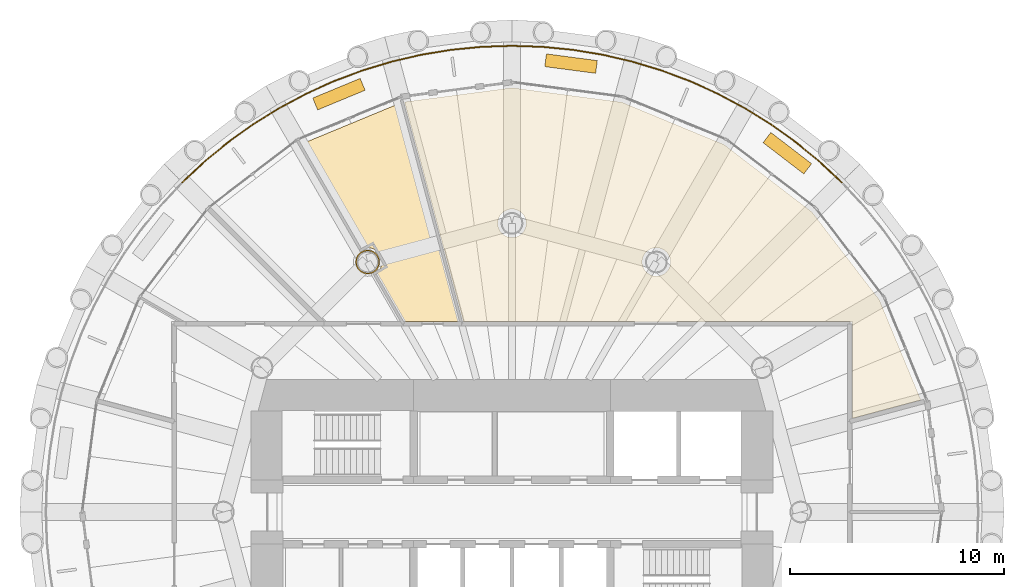
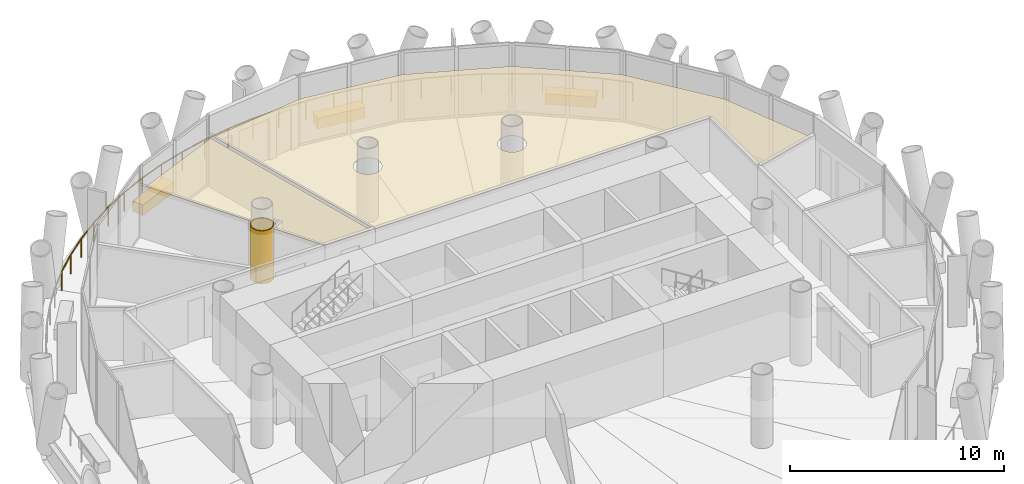
# One storey, part 14 of 14: 6 coverings, 1 railing.
"""IFC4 building model written with IfcOpenShell, lengths in metres."""

from ifc_helpers import new_model, si_unit, direction, frame, origin, origin_2d, place, context, subcontext, project, spatial, polyline, rectangle, circle, outline, extrude, material, layer, layer_set, type_object, element, save


model = new_model("IFC4")

# Units and contexts
model_context = context("Model", 3, precision=1e-05, world=origin(), true_north=direction((0.0, 1.0)))
body_context = subcontext(model_context, "Body", "Model", "MODEL_VIEW")
ifc_project = project(units=[si_unit("LENGTHUNIT", "METRE"), si_unit("AREAUNIT", "SQUARE_METRE"), si_unit("VOLUMEUNIT", "CUBIC_METRE"), si_unit("PLANEANGLEUNIT", "RADIAN"), si_unit("MASSUNIT", "GRAM", prefix="KILO")], contexts=[model_context])

# Site, building, storey
site_placement = place(None, origin())
site = spatial("IfcSite", under=ifc_project, at=site_placement, CompositionType="ELEMENT")
building_placement = place(site_placement, origin())
building = spatial("IfcBuilding", under=site, at=building_placement, Name="Qaws Media Tower", CompositionType="ELEMENT")
storey_placement = place(building_placement, frame((0.0, 0.0, 227.60009765625)))
storey = spatial("IfcBuildingStorey", under=building, at=storey_placement, Name="L52", CompositionType="ELEMENT", Elevation=227.60009765625)

# Covering
ifc_material_1 = material(Name="40 perforated acoustic panels with mineral wool backing, suspended", Category="mineral fibre")
ifc_layer_1 = layer(ifc_material_1, 0.0400390625)
ifc_layer_set_1 = layer_set([ifc_layer_1], Name="Acoustic panel ceiling 40")
covering_type_1 = type_object("IfcCoveringType", Name="Acoustic panel ceiling 40", PredefinedType="CEILING", material=ifc_layer_set_1)
covering_1_placement = place(storey_placement, frame((0.0, 0.0, 2.849853515625)))
element("IfcCovering", 1, at=covering_1_placement, inside=storey, type_object=covering_type_1, Name="CL3 ceiling L52-04 Meeting room", PredefinedType="CEILING", context=body_context, shape_type="SweptSolid", body=[
    extrude(outline(polyline([(54.761474609375, 69.115966796875), (57.495361328125, 58.91259765625), (54.984375, 58.91259765625), (53.676025390625, 61.178466796875), (53.722412109375, 61.218994140625), (53.780029296875, 61.28466796875), (53.82861328125, 61.357421875), (53.8671875, 61.435791015625), (53.895263671875, 61.5185546875), (53.912353515625, 61.604248046875), (53.91796875, 61.69140625), (53.912353515625, 61.778564453125), (53.895263671875, 61.8642578125), (53.8671875, 61.947021484375), (53.82861328125, 62.025390625), (53.780029296875, 62.097900390625), (53.722412109375, 62.163818359375), (53.65673828125, 62.22119140625), (53.583984375, 62.269775390625), (53.505615234375, 62.30859375), (53.4228515625, 62.336669921875), (53.337158203125, 62.353515625), (53.25, 62.359375), (53.162841796875, 62.353515625), (53.0771484375, 62.336669921875), (53.018798828125, 62.31689453125), (50.187255859375, 67.22119140625), (54.761474609375, 69.115966796875)])), origin(), (0.0, 0.0, 1.0), 0.0400390625),
])

# Railing
ifc_material_2 = material(Name="Stainless steel and glass guard", Category="steel")
railing_type = type_object("IfcRailingType", Name="Balcony guard 1100", PredefinedType="GUARDRAIL", material=ifc_material_2)
railing_placement = place(storey_placement, frame((75.4150390625, 65.4150390625, 0.0)))
element("IfcRailing", 2, at=railing_placement, inside=storey, type_object=railing_type, Name="GR1 balcony guard L52-1", PredefinedType="GUARDRAIL", context=body_context, shape_type="SweptSolid", body=[
    extrude(circle(Radius=0.02392578125, at=origin_2d()), frame((0.0, 0.0, 1.076171875), z_axis=(-0.72991602165, 0.683536832467, 0.0), x_axis=(-0.683536832467, -0.72991602165, 0.0)), (0.0, 0.0, 1.0), 1.426513671875),
    extrude(circle(Radius=0.02392578125, at=origin_2d()), frame((-1.041259765625, 0.97509765625, 1.076171875), z_axis=(-0.773010965138, 0.634392660564, 0.0), x_axis=(-0.634392660564, -0.773010965138, 0.0)), (0.0, 0.0, 1.0), 1.426513671875),
    extrude(circle(Radius=0.02392578125, at=origin_2d()), frame((-2.14404296875, 1.880126953125, 1.076171875), z_axis=(-0.81291165335, 0.58238702239, 0.0), x_axis=(-0.58238702239, -0.81291165335, 0.0)), (0.0, 0.0, 1.0), 1.426513671875),
    extrude(circle(Radius=0.02392578125, at=origin_2d()), frame((-3.3037109375, 2.7109375, 1.076171875), z_axis=(-0.849169171348, 0.528120931636, 0.0), x_axis=(-0.528120931636, -0.849169171348, 0.0)), (0.0, 0.0, 1.0), 1.426513671875),
    extrude(circle(Radius=0.02392578125, at=origin_2d()), frame((-4.51513671875, 3.46435546875, 1.076171875), z_axis=(-0.881945162591, 0.471352023632, 0.0), x_axis=(-0.471352023632, -0.881945162591, 0.0)), (0.0, 0.0, 1.0), 1.426513671875),
    extrude(circle(Radius=0.02392578125, at=origin_2d()), frame((-5.773193359375, 4.13671875, 1.076171875), z_axis=(-0.910823084717, 0.412796933547, 0.0), x_axis=(-0.412796933547, -0.910823084717, 0.0)), (0.0, 0.0, 1.0), 1.426513671875),
    extrude(circle(Radius=0.02392578125, at=origin_2d()), frame((-7.072509765625, 4.7255859375, 1.076171875), z_axis=(-0.935927693582, 0.352192209434, 0.0), x_axis=(-0.352192209434, -0.935927693582, 0.0)), (0.0, 0.0, 1.0), 1.426513671875),
    extrude(circle(Radius=0.02392578125, at=origin_2d()), frame((-8.40771484375, 5.22802734375, 1.076171875), z_axis=(-0.956940873371, 0.29028290489, 0.0), x_axis=(-0.29028290489, -0.956940873371, 0.0)), (0.0, 0.0, 1.0), 1.426513671875),
    extrude(circle(Radius=0.02392578125, at=origin_2d()), frame((-9.772705078125, 5.64208984375, 1.076171875), z_axis=(-0.973875279633, 0.227083552288, 0.0), x_axis=(-0.227083552288, -0.973875279633, 0.0)), (0.0, 0.0, 1.0), 1.4267578125),
    extrude(circle(Radius=0.02392578125, at=origin_2d()), frame((-11.162109375, 5.966064453125, 1.076171875), z_axis=(-0.986637977564, 0.162927901933, 0.0), x_axis=(-0.162927901933, -0.986637977564, 0.0)), (0.0, 0.0, 1.0), 1.426513671875),
    extrude(circle(Radius=0.02392578125, at=origin_2d()), frame((-12.569580078125, 6.198486328125, 1.076171875), z_axis=(-0.995180176689, 0.098063326095, 0.0), x_axis=(-0.098063326095, -0.995180176689, 0.0)), (0.0, 0.0, 1.0), 1.426513671875),
    extrude(circle(Radius=0.02392578125, at=origin_2d()), frame((-13.9892578125, 6.33837890625, 1.076171875), z_axis=(-0.99946560448, 0.03268800179, 0.0), x_axis=(-0.03268800179, -0.99946560448, 0.0)), (0.0, 0.0, 1.0), 1.426513671875),
    extrude(circle(Radius=0.02392578125, at=origin_2d()), frame((-15.4150390625, 6.385009765625, 1.076171875), z_axis=(-0.99946560448, -0.03268800179, 0.0), x_axis=(0.03268800179, -0.99946560448, 0.0)), (0.0, 0.0, 1.0), 1.426513671875),
    extrude(circle(Radius=0.02392578125, at=origin_2d()), frame((-16.8408203125, 6.33837890625, 1.076171875), z_axis=(-0.995180176689, -0.098063326095, 0.0), x_axis=(0.098063326095, -0.995180176689, 0.0)), (0.0, 0.0, 1.0), 1.426513671875),
    extrude(circle(Radius=0.02392578125, at=origin_2d()), frame((-18.260498046875, 6.198486328125, 1.076171875), z_axis=(-0.986637977564, -0.162927901933, 0.0), x_axis=(0.162927901933, -0.986637977564, 0.0)), (0.0, 0.0, 1.0), 1.426513671875),
    extrude(circle(Radius=0.02392578125, at=origin_2d()), frame((-19.66796875, 5.966064453125, 1.076171875), z_axis=(-0.973875279633, -0.227083552288, 0.0), x_axis=(0.227083552288, -0.973875279633, 0.0)), (0.0, 0.0, 1.0), 1.4267578125),
    extrude(circle(Radius=0.02392578125, at=origin_2d()), frame((-21.057373046875, 5.64208984375, 1.076171875), z_axis=(-0.956940873371, -0.29028290489, 0.0), x_axis=(0.29028290489, -0.956940873371, 0.0)), (0.0, 0.0, 1.0), 1.426513671875),
    extrude(circle(Radius=0.02392578125, at=origin_2d()), frame((-22.42236328125, 5.22802734375, 1.076171875), z_axis=(-0.935927693582, -0.352192209434, 0.0), x_axis=(0.352192209434, -0.935927693582, 0.0)), (0.0, 0.0, 1.0), 1.426513671875),
    extrude(circle(Radius=0.02392578125, at=origin_2d()), frame((-23.757568359375, 4.7255859375, 1.076171875), z_axis=(-0.910823084717, -0.412796933547, 0.0), x_axis=(0.412796933547, -0.910823084717, 0.0)), (0.0, 0.0, 1.0), 1.426513671875),
    extrude(circle(Radius=0.02392578125, at=origin_2d()), frame((-25.056884765625, 4.13671875, 1.076171875), z_axis=(-0.881945162591, -0.471352023632, 0.0), x_axis=(0.471352023632, -0.881945162591, 0.0)), (0.0, 0.0, 1.0), 1.426513671875),
    extrude(circle(Radius=0.02392578125, at=origin_2d()), frame((-26.31494140625, 3.46435546875, 1.076171875), z_axis=(-0.849169171348, -0.528120931636, 0.0), x_axis=(0.528120931636, -0.849169171348, 0.0)), (0.0, 0.0, 1.0), 1.426513671875),
    extrude(circle(Radius=0.02392578125, at=origin_2d()), frame((-27.5263671875, 2.7109375, 1.076171875), z_axis=(-0.81291165335, -0.58238702239, 0.0), x_axis=(0.58238702239, -0.81291165335, 0.0)), (0.0, 0.0, 1.0), 1.426513671875),
    extrude(circle(Radius=0.02392578125, at=origin_2d()), frame((-28.68603515625, 1.880126953125, 1.076171875), z_axis=(-0.773010965138, -0.634392660564, 0.0), x_axis=(0.634392660564, -0.773010965138, 0.0)), (0.0, 0.0, 1.0), 1.426513671875),
    extrude(circle(Radius=0.02392578125, at=origin_2d()), frame((-29.788818359375, 0.97509765625, 1.076171875), z_axis=(-0.72991602165, -0.683536832467, 0.0), x_axis=(0.683536832467, -0.72991602165, 0.0)), (0.0, 0.0, 1.0), 1.426513671875),
    extrude(circle(Radius=0.02099609375, at=origin_2d()), origin(), (0.0, 0.0, 1.0), 1.052001953125),
    extrude(circle(Radius=0.02099609375, at=origin_2d()), frame((-1.041259765625, 0.97509765625, 0.0)), (0.0, 0.0, 1.0), 1.052001953125),
    extrude(circle(Radius=0.02099609375, at=origin_2d()), frame((-2.14404296875, 1.880126953125, 0.0)), (0.0, 0.0, 1.0), 1.052001953125),
    extrude(circle(Radius=0.02099609375, at=origin_2d()), frame((-3.3037109375, 2.7109375, 0.0)), (0.0, 0.0, 1.0), 1.052001953125),
    extrude(circle(Radius=0.02099609375, at=origin_2d()), frame((-4.51513671875, 3.46435546875, 0.0)), (0.0, 0.0, 1.0), 1.052001953125),
    extrude(circle(Radius=0.02099609375, at=origin_2d()), frame((-5.773193359375, 4.13671875, 0.0)), (0.0, 0.0, 1.0), 1.052001953125),
    extrude(circle(Radius=0.02099609375, at=origin_2d()), frame((-7.072509765625, 4.7255859375, 0.0)), (0.0, 0.0, 1.0), 1.052001953125),
    extrude(circle(Radius=0.02099609375, at=origin_2d()), frame((-8.40771484375, 5.22802734375, 0.0)), (0.0, 0.0, 1.0), 1.052001953125),
    extrude(circle(Radius=0.02099609375, at=origin_2d()), frame((-9.772705078125, 5.64208984375, 0.0)), (0.0, 0.0, 1.0), 1.052001953125),
    extrude(circle(Radius=0.02099609375, at=origin_2d()), frame((-11.162109375, 5.966064453125, 0.0)), (0.0, 0.0, 1.0), 1.052001953125),
    extrude(circle(Radius=0.02099609375, at=origin_2d()), frame((-12.569580078125, 6.198486328125, 0.0)), (0.0, 0.0, 1.0), 1.052001953125),
    extrude(circle(Radius=0.02099609375, at=origin_2d()), frame((-13.9892578125, 6.33837890625, 0.0)), (0.0, 0.0, 1.0), 1.052001953125),
    extrude(circle(Radius=0.02099609375, at=origin_2d()), frame((-15.4150390625, 6.385009765625, 0.0)), (0.0, 0.0, 1.0), 1.052001953125),
    extrude(circle(Radius=0.02099609375, at=origin_2d()), frame((-16.8408203125, 6.33837890625, 0.0)), (0.0, 0.0, 1.0), 1.052001953125),
    extrude(circle(Radius=0.02099609375, at=origin_2d()), frame((-18.260498046875, 6.198486328125, 0.0)), (0.0, 0.0, 1.0), 1.052001953125),
    extrude(circle(Radius=0.02099609375, at=origin_2d()), frame((-19.66796875, 5.966064453125, 0.0)), (0.0, 0.0, 1.0), 1.052001953125),
    extrude(circle(Radius=0.02099609375, at=origin_2d()), frame((-21.057373046875, 5.64208984375, 0.0)), (0.0, 0.0, 1.0), 1.052001953125),
    extrude(circle(Radius=0.02099609375, at=origin_2d()), frame((-22.42236328125, 5.22802734375, 0.0)), (0.0, 0.0, 1.0), 1.052001953125),
    extrude(circle(Radius=0.02099609375, at=origin_2d()), frame((-23.757568359375, 4.7255859375, 0.0)), (0.0, 0.0, 1.0), 1.052001953125),
    extrude(circle(Radius=0.02099609375, at=origin_2d()), frame((-25.056884765625, 4.13671875, 0.0)), (0.0, 0.0, 1.0), 1.052001953125),
    extrude(circle(Radius=0.02099609375, at=origin_2d()), frame((-26.31494140625, 3.46435546875, 0.0)), (0.0, 0.0, 1.0), 1.052001953125),
    extrude(circle(Radius=0.02099609375, at=origin_2d()), frame((-27.5263671875, 2.7109375, 0.0)), (0.0, 0.0, 1.0), 1.052001953125),
    extrude(circle(Radius=0.02099609375, at=origin_2d()), frame((-28.68603515625, 1.880126953125, 0.0)), (0.0, 0.0, 1.0), 1.052001953125),
    extrude(circle(Radius=0.02099609375, at=origin_2d()), frame((-29.788818359375, 0.97509765625, 0.0)), (0.0, 0.0, 1.0), 1.052001953125),
    extrude(circle(Radius=0.02099609375, at=origin_2d()), frame((-30.830078125, 0.0, 0.0)), (0.0, 0.0, 1.0), 1.052001953125),
])

# Coverings
ifc_material_3 = material(Name="Two layers 15 fire-rated gypsum board on steel framing", Category="steel")
ifc_layer_2 = layer(ifc_material_3, 0.050048828125)
ifc_layer_set_2 = layer_set([ifc_layer_2], Name="Column fire casing")
covering_type_2 = type_object("IfcCoveringType", Name="Column fire casing", PredefinedType="CLADDING", material=ifc_layer_set_2)
covering_2_placement = place(storey_placement, origin())
element("IfcCovering", 3, at=covering_2_placement, inside=storey, type_object=covering_type_2, Name="CC1 column casing L52", PredefinedType="CLADDING", context=body_context, shape_type="SweptSolid", body=[
    extrude(outline(polyline([(53.81298828125, 61.69140625), (53.80810546875, 61.617919921875), (53.793701171875, 61.545654296875), (53.77001953125, 61.475830078125), (53.737548828125, 61.409912109375), (53.69677734375, 61.3486328125), (53.648193359375, 61.293212890625), (53.5927734375, 61.24462890625), (53.531494140625, 61.203857421875), (53.465576171875, 61.171142578125), (53.395751953125, 61.1474609375), (53.323486328125, 61.13330078125), (53.25, 61.12841796875), (53.176513671875, 61.13330078125), (53.104248046875, 61.1474609375), (53.034423828125, 61.171142578125), (52.968505859375, 61.203857421875), (52.9072265625, 61.24462890625), (52.851806640625, 61.293212890625), (52.80322265625, 61.3486328125), (52.762451171875, 61.409912109375), (52.72998046875, 61.475830078125), (52.706298828125, 61.545654296875), (52.69189453125, 61.617919921875), (52.68701171875, 61.69140625), (52.69189453125, 61.764892578125), (52.706298828125, 61.837158203125), (52.72998046875, 61.90673828125), (52.762451171875, 61.972900390625), (52.80322265625, 62.0341796875), (52.851806640625, 62.08935546875), (52.9072265625, 62.137939453125), (52.968505859375, 62.178955078125), (53.034423828125, 62.21142578125), (53.104248046875, 62.235107421875), (53.176513671875, 62.24951171875), (53.25, 62.25439453125), (53.323486328125, 62.24951171875), (53.395751953125, 62.235107421875), (53.465576171875, 62.21142578125), (53.531494140625, 62.178955078125), (53.5927734375, 62.137939453125), (53.648193359375, 62.08935546875), (53.69677734375, 62.0341796875), (53.737548828125, 61.972900390625), (53.77001953125, 61.90673828125), (53.793701171875, 61.837158203125), (53.80810546875, 61.764892578125), (53.81298828125, 61.69140625)]), holes=[polyline([(53.760986328125, 61.69140625), (53.756591796875, 61.62451171875), (53.74365234375, 61.55908203125), (53.72216796875, 61.495849609375), (53.6923828125, 61.435791015625), (53.655517578125, 61.38037109375), (53.611328125, 61.330078125), (53.56103515625, 61.285888671875), (53.505615234375, 61.248779296875), (53.445556640625, 61.21923828125), (53.38232421875, 61.19775390625), (53.316650390625, 61.184814453125), (53.25, 61.180419921875), (53.183349609375, 61.184814453125), (53.11767578125, 61.19775390625), (53.054443359375, 61.21923828125), (52.994384765625, 61.248779296875), (52.93896484375, 61.285888671875), (52.888671875, 61.330078125), (52.844482421875, 61.38037109375), (52.8076171875, 61.435791015625), (52.77783203125, 61.495849609375), (52.75634765625, 61.55908203125), (52.743408203125, 61.62451171875), (52.739013671875, 61.69140625), (52.743408203125, 61.758056640625), (52.75634765625, 61.823486328125), (52.77783203125, 61.886962890625), (52.8076171875, 61.94677734375), (52.844482421875, 62.00244140625), (52.888671875, 62.052734375), (52.93896484375, 62.0966796875), (52.994384765625, 62.1337890625), (53.054443359375, 62.163330078125), (53.11767578125, 62.184814453125), (53.183349609375, 62.197998046875), (53.25, 62.202392578125), (53.316650390625, 62.197998046875), (53.38232421875, 62.184814453125), (53.445556640625, 62.163330078125), (53.505615234375, 62.1337890625), (53.56103515625, 62.0966796875), (53.611328125, 62.052734375), (53.655517578125, 62.00244140625), (53.6923828125, 61.94677734375), (53.72216796875, 61.886962890625), (53.74365234375, 61.823486328125), (53.756591796875, 61.758056640625), (53.760986328125, 61.69140625)])]), origin(), (0.0, 0.0, 1.0), 3.02001953125),
])
ifc_material_4 = material(Name="600 x 600 mineral fibre tiles in exposed grid, suspended", Category="mineral fibre")
ifc_layer_3 = layer(ifc_material_4, 0.02001953125)
ifc_layer_set_3 = layer_set([ifc_layer_3], Name="Mineral fibre tile ceiling 20")
covering_type_3 = type_object("IfcCoveringType", Name="Mineral fibre tile ceiling 20", PredefinedType="CEILING", material=ifc_layer_set_3)
covering_3_placement = place(storey_placement, frame((0.0, 0.0, 2.849853515625)))
element("IfcCovering", 4, at=covering_3_placement, inside=storey, type_object=covering_type_3, Name="CL1 ceiling L52-03 Tenant office", PredefinedType="CEILING", context=body_context, shape_type="SweptSolid", body=[
    extrude(outline(polyline([(60.0, 69.835205078125), (65.1337890625, 69.159423828125), (69.91748046875, 67.177734375), (74.025634765625, 64.025634765625), (77.177734375, 59.91748046875), (79.115966796875, 55.238525390625), (75.91259765625, 54.380126953125), (75.91259765625, 58.91259765625), (57.728515625, 58.91259765625), (54.978759765625, 69.17431640625), (60.0, 69.835205078125)]), holes=[polyline([(60.6171875, 63.244384765625), (60.645263671875, 63.3271484375), (60.662353515625, 63.412841796875), (60.66796875, 63.5), (60.662353515625, 63.587158203125), (60.645263671875, 63.6728515625), (60.6171875, 63.755615234375), (60.57861328125, 63.833984375), (60.530029296875, 63.90673828125), (60.472412109375, 63.972412109375), (60.40673828125, 64.030029296875), (60.333984375, 64.07861328125), (60.255615234375, 64.1171875), (60.1728515625, 64.145263671875), (60.087158203125, 64.162353515625), (60.0, 64.16796875), (59.912841796875, 64.162353515625), (59.8271484375, 64.145263671875), (59.744384765625, 64.1171875), (59.666015625, 64.07861328125), (59.59326171875, 64.030029296875), (59.527587890625, 63.972412109375), (59.469970703125, 63.90673828125), (59.42138671875, 63.833984375), (59.3828125, 63.755615234375), (59.354736328125, 63.6728515625), (59.337646484375, 63.587158203125), (59.33203125, 63.5), (59.337646484375, 63.412841796875), (59.354736328125, 63.3271484375), (59.3828125, 63.244384765625), (59.42138671875, 63.166015625), (59.469970703125, 63.09326171875), (59.527587890625, 63.027587890625), (59.59326171875, 62.969970703125), (59.666015625, 62.92138671875), (59.744384765625, 62.8828125), (59.8271484375, 62.854736328125), (59.912841796875, 62.837646484375), (60.0, 62.83203125), (60.087158203125, 62.837646484375), (60.1728515625, 62.854736328125), (60.255615234375, 62.8828125), (60.333984375, 62.92138671875), (60.40673828125, 62.969970703125), (60.472412109375, 63.027587890625), (60.530029296875, 63.09326171875), (60.57861328125, 63.166015625), (60.6171875, 63.244384765625)]), polyline([(67.3671875, 61.435791015625), (67.395263671875, 61.5185546875), (67.412353515625, 61.604248046875), (67.41796875, 61.69140625), (67.412353515625, 61.778564453125), (67.395263671875, 61.8642578125), (67.3671875, 61.947021484375), (67.32861328125, 62.025390625), (67.280029296875, 62.097900390625), (67.222412109375, 62.163818359375), (67.15673828125, 62.22119140625), (67.083984375, 62.269775390625), (67.005615234375, 62.30859375), (66.9228515625, 62.336669921875), (66.837158203125, 62.353515625), (66.75, 62.359375), (66.662841796875, 62.353515625), (66.5771484375, 62.336669921875), (66.494384765625, 62.30859375), (66.416015625, 62.269775390625), (66.34326171875, 62.22119140625), (66.277587890625, 62.163818359375), (66.219970703125, 62.097900390625), (66.17138671875, 62.025390625), (66.1328125, 61.947021484375), (66.104736328125, 61.8642578125), (66.087646484375, 61.778564453125), (66.08203125, 61.69140625), (66.087646484375, 61.604248046875), (66.104736328125, 61.5185546875), (66.1328125, 61.435791015625), (66.17138671875, 61.357421875), (66.219970703125, 61.28466796875), (66.277587890625, 61.218994140625), (66.34326171875, 61.161376953125), (66.416015625, 61.11279296875), (66.494384765625, 61.07421875), (66.5771484375, 61.046142578125), (66.662841796875, 61.029052734375), (66.75, 61.023193359375), (66.837158203125, 61.029052734375), (66.9228515625, 61.046142578125), (67.005615234375, 61.07421875), (67.083984375, 61.11279296875), (67.15673828125, 61.161376953125), (67.222412109375, 61.218994140625), (67.280029296875, 61.28466796875), (67.32861328125, 61.357421875), (67.3671875, 61.435791015625)])]), origin(), (0.0, 0.0, 1.0), 0.02001953125),
])
ifc_material_5 = material(Name="Precast concrete planter with trailing planting", Category="concrete")
ifc_layer_4 = layer(ifc_material_5, 0.60009765625)
ifc_layer_set_4 = layer_set([ifc_layer_4], Name="Planter 2400x600")
covering_type_4 = type_object("IfcCoveringType", Name="Planter 2400x600", PredefinedType="USERDEFINED", material=ifc_layer_set_4)
for number, where, z_axis, x_axis, name in (
    (5, (72.875244140625, 66.779541015625, -0.000244140625), (0.0, 0.0, 1.0), (-0.793353340291, 0.608761429009, 0.0), "PL1 balcony planter L52-02"),
    (6, (62.7607421875, 70.968994140625, -0.000244140625), (0.0, 0.0, 1.0), (-0.991444861374, 0.13052619222, 0.0), "PL1 balcony planter L52-03"),
    (7, (51.90625, 69.5400390625, -0.000244140625), (0.0, 0.0, 1.0), (-0.923879532511, -0.382683432365, 0.0), "PL1 balcony planter L52-04"),
):
    element("IfcCovering", number, at=place(storey_placement, frame(where, z_axis=z_axis, x_axis=x_axis)), inside=storey, type_object=covering_type_4, Name=name, ObjectType="PLANTER", PredefinedType="USERDEFINED", context=body_context, shape_type="SweptSolid", body=[
        extrude(rectangle(XDim=2.39990234375, YDim=0.60009765625, at=origin_2d()), origin(), (0.0, 0.0, 1.0), 0.60009765625),
    ])

save(model, "model.ifc")
